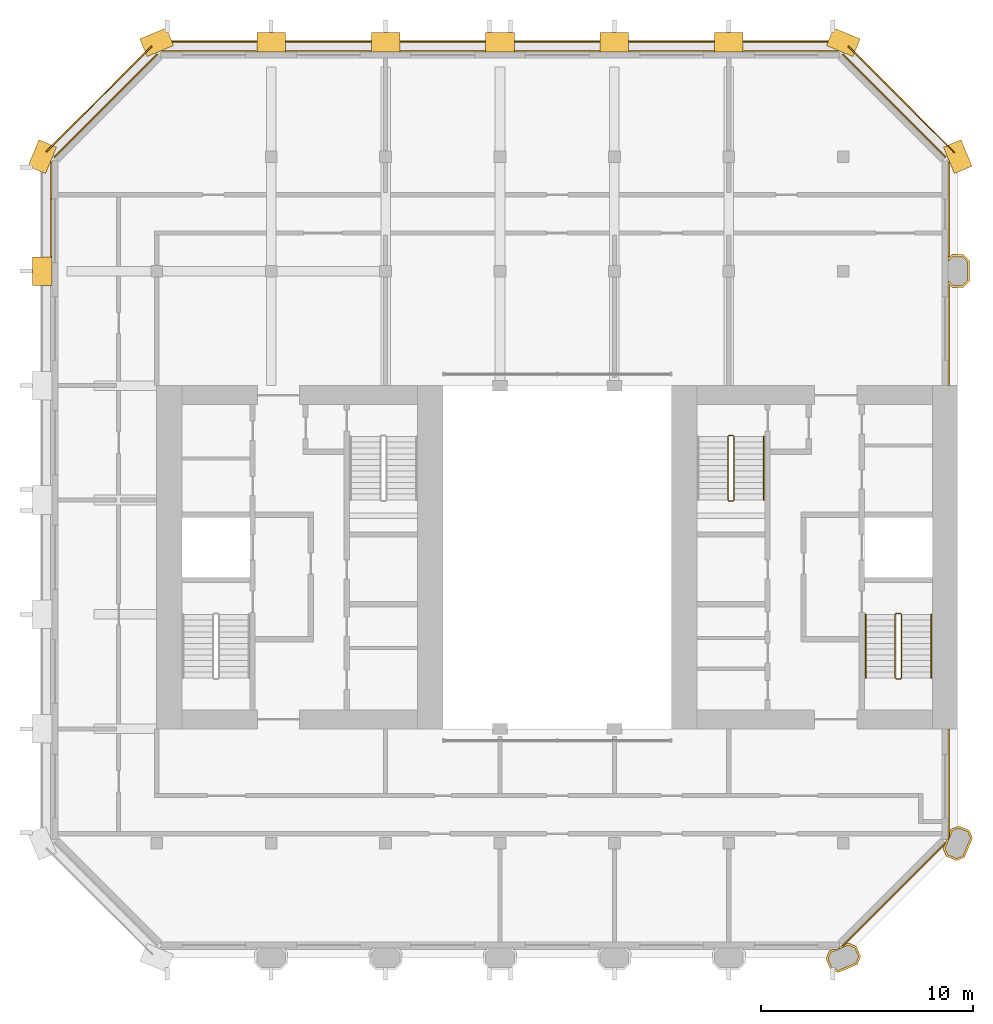
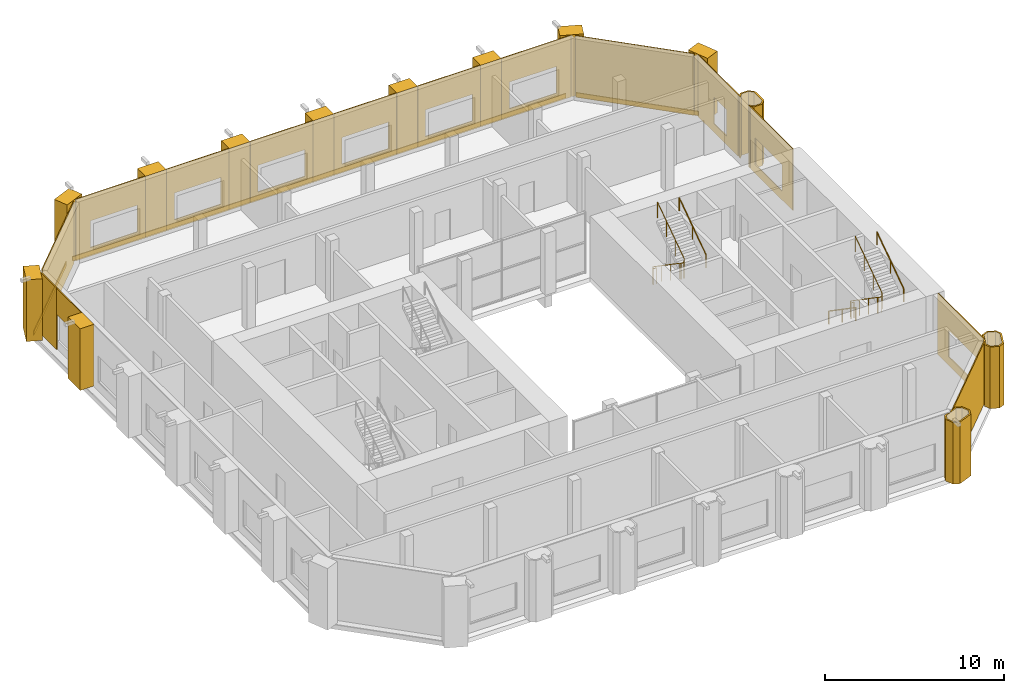
# One storey, part 12 of 12: 30 coverings, 5 railings.
"""IFC4 building model written with IfcOpenShell, lengths in metres."""

from ifc_helpers import new_model, si_unit, direction, frame, frame_2d, origin, origin_2d, place, context, subcontext, project, spatial, polyline, rectangle, circle, outline, extrude, material, layer, layer_set, type_object, element, save


model = new_model("IFC4")

# Units and contexts
model_context = context("Model", 3, precision=1e-05, world=origin(), true_north=direction((0.0, 1.0)))
body_context = subcontext(model_context, "Body", "Model", "MODEL_VIEW")
ifc_project = project(units=[si_unit("LENGTHUNIT", "METRE"), si_unit("AREAUNIT", "SQUARE_METRE"), si_unit("VOLUMEUNIT", "CUBIC_METRE"), si_unit("PLANEANGLEUNIT", "RADIAN"), si_unit("MASSUNIT", "GRAM", prefix="KILO")], contexts=[model_context])

# Site, building, storey
site_placement = place(None, origin())
site = spatial("IfcSite", under=ifc_project, at=site_placement, CompositionType="ELEMENT")
building_placement = place(site_placement, origin())
building = spatial("IfcBuilding", under=site, at=building_placement, Name="Tabaq Tower and Sports Hall", CompositionType="ELEMENT")
storey_placement = place(building_placement, frame((0.0, 0.0, 317.199951171875)))
storey = spatial("IfcBuildingStorey", under=building, at=storey_placement, Name="L79", CompositionType="ELEMENT", Elevation=317.199951171875)

# Coverings
ifc_material_1 = material(Name="Precast concrete C60/75", Category="concrete")
ifc_layer_1 = layer(ifc_material_1, 0.10009765625)
ifc_layer_set_1 = layer_set([ifc_layer_1], Name="Column cladding 100")
covering_type_1 = type_object("IfcCoveringType", Name="Column cladding 100", PredefinedType="CLADDING", material=ifc_layer_set_1)
covering_1_placement = place(storey_placement, origin())
element("IfcCovering", 1, at=covering_1_placement, inside=storey, type_object=covering_type_1, Name="Column cladding L79 PC-8B-CR", PredefinedType="CLADDING", context=body_context, shape_type="SweptSolid", body=[
    extrude(outline(polyline([(36.982421875, 5.349609375), (37.1357421875, 5.7197265625), (37.304443359375, 5.789794921875), (37.55712890625, 5.789794921875), (37.55712890625, 5.849609375), (37.614013671875, 5.849609375), (37.614013671875, 5.91796875), (37.767578125, 5.9814453125), (37.799072265625, 5.9501953125), (37.875, 6.026123046875), (38.04345703125, 6.095947265625), (38.413818359375, 5.9423828125), (38.61767578125, 5.450439453125), (38.46435546875, 5.080078125), (37.556396484375, 4.7041015625), (37.186279296875, 4.857421875), (36.982421875, 5.349609375)]), holes=[polyline([(38.510009765625, 5.450439453125), (38.337646484375, 5.866455078125), (38.04345703125, 5.98828125), (37.2119140625, 5.643798828125), (37.08984375, 5.349609375), (37.26220703125, 4.93359375), (37.556396484375, 4.811767578125), (38.38818359375, 5.15625), (38.510009765625, 5.450439453125)])]), origin(), (0.0, 0.0, 1.0), 4.199951171875),
])
covering_2_placement = place(storey_placement, origin())
element("IfcCovering", 2, at=covering_2_placement, inside=storey, type_object=covering_type_1, Name="Column cladding L79 PC-9C-CR", PredefinedType="CLADDING", context=body_context, shape_type="SweptSolid", body=[
    extrude(outline(polyline([(42.657470703125, 10.186279296875), (42.504150390625, 10.556396484375), (42.573974609375, 10.72509765625), (42.64990234375, 10.801025390625), (42.618408203125, 10.83251953125), (42.68212890625, 10.986083984375), (42.750244140625, 10.986083984375), (42.750244140625, 11.04296875), (42.810302734375, 11.04296875), (42.810302734375, 11.295654296875), (42.880126953125, 11.46435546875), (43.25048828125, 11.61767578125), (43.742431640625, 11.413818359375), (43.895751953125, 11.04345703125), (43.519775390625, 10.1357421875), (43.149658203125, 9.982421875), (42.657470703125, 10.186279296875)]), holes=[polyline([(43.66650390625, 11.337646484375), (43.25048828125, 11.510009765625), (42.956298828125, 11.38818359375), (42.61181640625, 10.556396484375), (42.733642578125, 10.26220703125), (43.149658203125, 10.08984375), (43.44384765625, 10.2119140625), (43.788330078125, 11.04345703125), (43.66650390625, 11.337646484375)])]), origin(), (0.0, 0.0, 1.0), 4.199951171875),
])
covering_3_placement = place(storey_placement, origin())
element("IfcCovering", 3, at=covering_3_placement, inside=storey, type_object=covering_type_1, Name="Column cladding L79 PC-9H-CR", PredefinedType="CLADDING", context=body_context, shape_type="SweptSolid", body=[
    extrude(outline(polyline([(42.93359375, 37.025390625), (42.750244140625, 37.208740234375), (42.750244140625, 37.349365234375), (42.974853515625, 37.124755859375), (43.425048828125, 37.124755859375), (43.650390625, 37.349853515625), (43.650390625, 38.250244140625), (43.425048828125, 38.475341796875), (42.974853515625, 38.475341796875), (42.750244140625, 38.250732421875), (42.750244140625, 38.391357421875), (42.93359375, 38.57470703125), (43.46630859375, 38.57470703125), (43.749755859375, 38.291259765625), (43.749755859375, 37.30859375), (43.46630859375, 37.025390625), (42.93359375, 37.025390625)])), origin(), (0.0, 0.0, 1.0), 4.199951171875),
])
ifc_material_2 = material(Name="Precast concrete C60/75", Category="concrete")
ifc_layer_2 = layer(ifc_material_2, 0.06005859375)
ifc_layer_set_2 = layer_set([ifc_layer_2], Name="Edge beam cladding 60")
covering_type_2 = type_object("IfcCoveringType", Name="Edge beam cladding 60", PredefinedType="CLADDING", material=ifc_layer_set_2)
covering_4_placement = place(storey_placement, frame((43.04443359375, 43.39794921875, -0.300048828125), z_axis=(0.0, 0.0, 1.0), x_axis=(-0.707106781187, 0.707106781187, 0.0)))
element("IfcCovering", 4, at=covering_4_placement, inside=storey, type_object=covering_type_2, Name="Edge beam cladding L79 1", PredefinedType="CLADDING", context=body_context, shape_type="SweptSolid", body=[
    extrude(rectangle(XDim=7.08837890625, YDim=0.06005859375, at=frame_2d((3.544189453125, 0.0))), origin(), (0.0, 0.0, 1.0), 0.300048828125),
])
covering_5_placement = place(storey_placement, frame((37.50146484375, 48.6298828125, -0.300048828125), z_axis=(0.0, 0.0, 1.0), x_axis=(-1.0, 0.0, 0.0)))
element("IfcCovering", 5, at=covering_5_placement, inside=storey, type_object=covering_type_2, Name="Edge beam cladding L79 2", PredefinedType="CLADDING", context=body_context, shape_type="SweptSolid", body=[
    extrude(rectangle(XDim=31.802978515625, YDim=0.06005859375, at=frame_2d((15.9013671875, 0.0))), origin(), (0.0, 0.0, 1.0), 0.300048828125),
])
covering_6_placement = place(storey_placement, frame((5.167724609375, 48.41015625, -0.300048828125), z_axis=(0.0, 0.0, 1.0), x_axis=(-0.707106781187, -0.707106781187, 0.0)))
element("IfcCovering", 6, at=covering_6_placement, inside=storey, type_object=covering_type_2, Name="Edge beam cladding L79 3", PredefinedType="CLADDING", context=body_context, shape_type="SweptSolid", body=[
    extrude(rectangle(XDim=7.03955078125, YDim=0.06005859375, at=frame_2d((3.519775390625, 0.0))), origin(), (0.0, 0.0, 1.0), 0.300048828125),
])
ifc_material_3 = material(Name="White precast concrete C60/75", Category="concrete")
covering_type_3 = type_object("IfcCoveringType", Name="Pier cladding hung 1350x900", PredefinedType="CLADDING", material=ifc_material_3)
for number, where, z_axis, x_axis, name in (
    (7, (0.0, 38.47509765625, 0.0), (0.0, 0.0, 1.0), (0.0, -1.0, 0.0), "Hung pier cladding 0/7"),
    (8, (0.25830078125, 43.82373046875, 0.0), (0.0, 0.0, 1.0), (-0.382649923473, -0.923893411637, 0.0), "Hung pier cladding 0/8"),
    (9, (6.023681640625, 48.8583984375, 0.0), (0.0, 0.0, 1.0), (-0.923893411637, -0.382649923473, 0.0), "Hung pier cladding 1/9"),
    (10, (11.47509765625, 48.60009765625, 0.0), (0.0, 0.0, 1.0), (-1.0, 0.0, 0.0), "Hung pier cladding 2/9"),
    (11, (16.875, 48.60009765625, 0.0), (0.0, 0.0, 1.0), (-1.0, 0.0, 0.0), "Hung pier cladding 3/9"),
):
    element("IfcCovering", number, at=place(storey_placement, frame(where, z_axis=z_axis, x_axis=x_axis)), inside=storey, type_object=covering_type_3, Name=name, PredefinedType="CLADDING", context=body_context, shape_type="SweptSolid", body=[
        extrude(rectangle(XDim=1.35009765625, YDim=0.89990234375, at=frame_2d((0.675048828125, 0.0))), origin(), (0.0, 0.0, 1.0), 4.199951171875),
    ])
covering_7_placement = place(storey_placement, frame((22.27490234375, 48.60009765625, 0.0), z_axis=(0.0, 0.0, 1.0), x_axis=(-1.0, 0.0, 0.0)))
element("IfcCovering", 12, at=covering_7_placement, inside=storey, type_object=covering_type_3, Name="Hung pier cladding 4/9", PredefinedType="CLADDING", context=body_context, shape_type="SweptSolid", body=[
    extrude(rectangle(XDim=1.349853515625, YDim=0.89990234375, at=frame_2d((0.6748046875, 0.0))), origin(), (0.0, 0.0, 1.0), 4.199951171875),
])
covering_8_placement = place(storey_placement, frame((27.675048828125, 48.60009765625, 0.0), z_axis=(0.0, 0.0, 1.0), x_axis=(-1.0, 0.0, 0.0)))
element("IfcCovering", 13, at=covering_8_placement, inside=storey, type_object=covering_type_3, Name="Hung pier cladding 5/9", PredefinedType="CLADDING", context=body_context, shape_type="SweptSolid", body=[
    extrude(rectangle(XDim=1.35009765625, YDim=0.89990234375, at=frame_2d((0.675048828125, 0.0))), origin(), (0.0, 0.0, 1.0), 4.199951171875),
])
covering_9_placement = place(storey_placement, frame((33.074951171875, 48.60009765625, 0.0), z_axis=(0.0, 0.0, 1.0), x_axis=(-1.0, 0.0, 0.0)))
element("IfcCovering", 14, at=covering_9_placement, inside=storey, type_object=covering_type_3, Name="Hung pier cladding 6/9", PredefinedType="CLADDING", context=body_context, shape_type="SweptSolid", body=[
    extrude(rectangle(XDim=1.349853515625, YDim=0.89990234375, at=frame_2d((0.6748046875, 0.0))), origin(), (0.0, 0.0, 1.0), 4.199951171875),
])
for number, where, z_axis, x_axis, name in (
    (15, (38.423583984375, 48.341796875, 0.0), (0.0, 0.0, 1.0), (-0.923893411637, 0.382649923473, 0.0), "Hung pier cladding 7/9"),
    (16, (43.458251953125, 42.576416015625, 0.0), (0.0, 0.0, 1.0), (-0.382649923473, 0.923893411637, 0.0), "Hung pier cladding 8/8"),
):
    element("IfcCovering", number, at=place(storey_placement, frame(where, z_axis=z_axis, x_axis=x_axis)), inside=storey, type_object=covering_type_3, Name=name, PredefinedType="CLADDING", context=body_context, shape_type="SweptSolid", body=[
        extrude(rectangle(XDim=1.35009765625, YDim=0.89990234375, at=frame_2d((0.675048828125, 0.0))), origin(), (0.0, 0.0, 1.0), 4.199951171875),
    ])

# Railings
ifc_material_4 = material(Name="Stainless steel", Category="steel")
railing_type_1 = type_object("IfcRailingType", Name="Stair guard", PredefinedType="GUARDRAIL", material=ifc_material_4)
railing_1_placement = place(storey_placement, frame((40.5, 21.64990234375, 0.0)))
element("IfcRailing", 17, at=railing_1_placement, inside=storey, type_object=railing_type_1, Name="L79 ST3 stair guard 1", PredefinedType="GUARDRAIL", context=body_context, shape_type="SweptSolid", body=[
    extrude(circle(Radius=0.02392578125, at=origin_2d()), frame((0.0, 0.0, 1.076171875), z_axis=(-1.0, 0.0, 0.0), x_axis=(0.0, -1.0, 0.0)), (0.0, 0.0, 1.0), 0.199951171875),
    extrude(circle(Radius=0.02392578125, at=origin_2d()), frame((-0.199951171875, 0.0, 1.076171875), z_axis=(-0.249802250048, -0.248583702486, 0.935844527007), x_axis=(0.705375805398, -0.708833529934, 0.0)), (0.0, 0.0, 1.0), 0.200439453125),
    extrude(circle(Radius=0.02392578125, at=origin_2d()), frame((-0.25, -0.0498046875, 1.263671875), z_axis=(0.0, -0.824041924199, 0.566528822887), x_axis=(1.0, 0.0, 0.0)), (0.0, 0.0, 1.0), 3.640625),
    extrude(circle(Radius=0.02392578125, at=origin_2d()), frame((-0.25, -3.0498046875, 3.326171875), z_axis=(0.707106781187, -0.707106781187, 0.0), x_axis=(0.707106781187, 0.707106781187, 0.0)), (0.0, 0.0, 1.0), 0.07080078125),
    extrude(circle(Radius=0.02392578125, at=origin_2d()), frame((-0.199951171875, -3.099853515625, 3.326171875), z_axis=(1.0, 0.0, 0.0), x_axis=(0.0, 1.0, 0.0)), (0.0, 0.0, 1.0), 0.199951171875),
    extrude(circle(Radius=0.02392578125, at=origin_2d()), frame((0.0, -3.099853515625, 3.326171875), z_axis=(0.249726431254, 0.249726431254, 0.935560483917), x_axis=(-0.707106781187, 0.707106781187, 0.0)), (0.0, 0.0, 1.0), 0.200439453125),
    extrude(circle(Radius=0.02392578125, at=origin_2d()), frame((0.050048828125, -3.0498046875, 3.513671875), z_axis=(0.0, 0.824041924199, 0.566528822887), x_axis=(-1.0, 0.0, 0.0)), (0.0, 0.0, 1.0), 3.640625),
    extrude(circle(Radius=0.02099609375, at=origin_2d()), origin(), (0.0, 0.0, 1.0), 1.052001953125),
    extrude(circle(Radius=0.02099609375, at=origin_2d()), frame((-0.199951171875, 0.0, 0.0)), (0.0, 0.0, 1.0), 1.052001953125),
    extrude(circle(Radius=0.02099609375, at=origin_2d()), frame((-0.25, -0.0498046875, 0.1875)), (0.0, 0.0, 1.0), 1.052001953125),
    extrude(circle(Radius=0.02099609375, at=origin_2d()), frame((-0.25, -1.0498046875, 0.875)), (0.0, 0.0, 1.0), 1.052001953125),
    extrude(circle(Radius=0.02099609375, at=origin_2d()), frame((-0.25, -2.0498046875, 1.5625)), (0.0, 0.0, 1.0), 1.052001953125),
    extrude(circle(Radius=0.02099609375, at=origin_2d()), frame((-0.25, -3.0498046875, 2.25)), (0.0, 0.0, 1.0), 1.052001953125),
    extrude(circle(Radius=0.02099609375, at=origin_2d()), frame((-0.199951171875, -3.099853515625, 2.25)), (0.0, 0.0, 1.0), 1.052001953125),
    extrude(circle(Radius=0.02099609375, at=origin_2d()), frame((0.0, -3.099853515625, 2.25)), (0.0, 0.0, 1.0), 1.052001953125),
    extrude(circle(Radius=0.02099609375, at=origin_2d()), frame((0.050048828125, -3.0498046875, 2.4375)), (0.0, 0.0, 1.0), 1.052001953125),
    extrude(circle(Radius=0.02099609375, at=origin_2d()), frame((0.050048828125, -2.0498046875, 3.125)), (0.0, 0.0, 1.0), 1.052001953125),
    extrude(circle(Radius=0.02099609375, at=origin_2d()), frame((0.050048828125, -1.0498046875, 3.8125)), (0.0, 0.0, 1.0), 1.052001953125),
    extrude(circle(Radius=0.02099609375, at=origin_2d()), frame((0.050048828125, -0.0498046875, 4.5)), (0.0, 0.0, 1.0), 1.052001953125),
])
railing_2_placement = place(storey_placement, frame((32.60009765625, 30.050048828125, 0.0)))
element("IfcRailing", 18, at=railing_2_placement, inside=storey, type_object=railing_type_1, Name="L79 ST4 stair guard 1", PredefinedType="GUARDRAIL", context=body_context, shape_type="SweptSolid", body=[
    extrude(circle(Radius=0.02392578125, at=origin_2d()), frame((0.0, 0.0, 1.076171875), z_axis=(-1.0, 0.0, 0.0), x_axis=(0.0, -1.0, 0.0)), (0.0, 0.0, 1.0), 0.2001953125),
    extrude(circle(Radius=0.02392578125, at=origin_2d()), frame((-0.2001953125, 0.0, 1.076171875), z_axis=(-0.248583702486, -0.249802250048, 0.935844527007), x_axis=(0.708833529934, -0.705375805398, 0.0)), (0.0, 0.0, 1.0), 0.200439453125),
    extrude(circle(Radius=0.02392578125, at=origin_2d()), frame((-0.25, -0.050048828125, 1.263671875), z_axis=(0.0, -0.824041924199, 0.566528822887), x_axis=(1.0, 0.0, 0.0)), (0.0, 0.0, 1.0), 3.640625),
    extrude(circle(Radius=0.02392578125, at=origin_2d()), frame((-0.25, -3.050048828125, 3.326171875), z_axis=(0.705375805398, -0.708833529934, 0.0), x_axis=(0.708833529934, 0.705375805398, 0.0)), (0.0, 0.0, 1.0), 0.070556640625),
    extrude(circle(Radius=0.02392578125, at=origin_2d()), frame((-0.2001953125, -3.10009765625, 3.326171875), z_axis=(1.0, 0.0, 0.0), x_axis=(0.0, 1.0, 0.0)), (0.0, 0.0, 1.0), 0.2001953125),
    extrude(circle(Radius=0.02392578125, at=origin_2d()), frame((0.0, -3.10009765625, 3.326171875), z_axis=(0.248583702486, 0.249802250048, 0.935844527007), x_axis=(-0.708833529934, 0.705375805398, 0.0)), (0.0, 0.0, 1.0), 0.200439453125),
    extrude(circle(Radius=0.02392578125, at=origin_2d()), frame((0.0498046875, -3.050048828125, 3.513671875), z_axis=(0.0, 0.824041924199, 0.566528822887), x_axis=(-1.0, 0.0, 0.0)), (0.0, 0.0, 1.0), 3.640625),
    extrude(circle(Radius=0.02099609375, at=origin_2d()), origin(), (0.0, 0.0, 1.0), 1.052001953125),
    extrude(circle(Radius=0.02099609375, at=origin_2d()), frame((-0.2001953125, 0.0, 0.0)), (0.0, 0.0, 1.0), 1.052001953125),
    extrude(circle(Radius=0.02099609375, at=origin_2d()), frame((-0.25, -0.050048828125, 0.1875)), (0.0, 0.0, 1.0), 1.052001953125),
    extrude(circle(Radius=0.02099609375, at=origin_2d()), frame((-0.25, -1.050048828125, 0.875)), (0.0, 0.0, 1.0), 1.052001953125),
    extrude(circle(Radius=0.02099609375, at=origin_2d()), frame((-0.25, -2.050048828125, 1.5625)), (0.0, 0.0, 1.0), 1.052001953125),
    extrude(circle(Radius=0.02099609375, at=origin_2d()), frame((-0.25, -3.050048828125, 2.25)), (0.0, 0.0, 1.0), 1.052001953125),
    extrude(circle(Radius=0.02099609375, at=origin_2d()), frame((-0.2001953125, -3.10009765625, 2.25)), (0.0, 0.0, 1.0), 1.052001953125),
    extrude(circle(Radius=0.02099609375, at=origin_2d()), frame((0.0, -3.10009765625, 2.25)), (0.0, 0.0, 1.0), 1.052001953125),
    extrude(circle(Radius=0.02099609375, at=origin_2d()), frame((0.0498046875, -3.050048828125, 2.4375)), (0.0, 0.0, 1.0), 1.052001953125),
    extrude(circle(Radius=0.02099609375, at=origin_2d()), frame((0.0498046875, -2.050048828125, 3.125)), (0.0, 0.0, 1.0), 1.052001953125),
    extrude(circle(Radius=0.02099609375, at=origin_2d()), frame((0.0498046875, -1.050048828125, 3.8125)), (0.0, 0.0, 1.0), 1.052001953125),
    extrude(circle(Radius=0.02099609375, at=origin_2d()), frame((0.0498046875, -0.050048828125, 4.5)), (0.0, 0.0, 1.0), 1.052001953125),
])
ifc_material_5 = material(Name="Stainless steel", Category="steel")
railing_type_2 = type_object("IfcRailingType", Name="Stair handrail", PredefinedType="HANDRAIL", material=ifc_material_5)
railing_3_placement = place(storey_placement, frame((38.85009765625, 21.60009765625, 0.1875)))
element("IfcRailing", 19, at=railing_3_placement, inside=storey, type_object=railing_type_2, Name="L79 ST3 stair handrail 1", PredefinedType="HANDRAIL", context=body_context, shape_type="SweptSolid", body=[
    extrude(circle(Radius=0.02392578125, at=origin_2d()), frame((0.0, 0.0, 0.8759765625), z_axis=(0.0, -0.824041924199, 0.566528822887), x_axis=(1.0, 0.0, 0.0)), (0.0, 0.0, 1.0), 3.640625),
    extrude(circle(Radius=0.02099609375, at=origin_2d()), origin(), (0.0, 0.0, 1.0), 0.851806640625),
    extrude(circle(Radius=0.02099609375, at=origin_2d()), frame((0.0, -1.5, 1.03125)), (0.0, 0.0, 1.0), 0.851806640625),
    extrude(circle(Radius=0.02099609375, at=origin_2d()), frame((0.0, -3.0, 2.0625)), (0.0, 0.0, 1.0), 0.851806640625),
])
for number, where, name in (
    (20, (41.949951171875, 18.60009765625, 2.4375), "L79 ST3 stair handrail 2"),
    (21, (34.050048828125, 27.0, 2.4375), "L79 ST4 stair handrail 2"),
):
    element("IfcRailing", number, at=place(storey_placement, frame(where)), inside=storey, type_object=railing_type_2, Name=name, PredefinedType="HANDRAIL", context=body_context, shape_type="SweptSolid", body=[
        extrude(circle(Radius=0.02392578125, at=origin_2d()), frame((0.0, 0.0, 0.8759765625), z_axis=(0.0, 0.824041924199, 0.566528822887), x_axis=(-1.0, 0.0, 0.0)), (0.0, 0.0, 1.0), 3.640625),
        extrude(circle(Radius=0.02099609375, at=origin_2d()), origin(), (0.0, 0.0, 1.0), 0.851806640625),
        extrude(circle(Radius=0.02099609375, at=origin_2d()), frame((0.0, 1.5, 1.03125)), (0.0, 0.0, 1.0), 0.851806640625),
        extrude(circle(Radius=0.02099609375, at=origin_2d()), frame((0.0, 3.0, 2.0625)), (0.0, 0.0, 1.0), 0.851806640625),
    ])

# Coverings
ifc_material_6 = material(Name="Precast concrete C60/75", Category="concrete")
ifc_layer_3 = layer(ifc_material_6, 0.06005859375)
ifc_layer_set_3 = layer_set([ifc_layer_3], Name="White precast cladding panel 60 C60/75")
covering_type_4 = type_object("IfcCoveringType", Name="White precast cladding panel 60 C60/75", PredefinedType="CLADDING", material=ifc_layer_set_3)
covering_10_placement = place(storey_placement, frame((37.77783203125, 5.9716796875, 0.0), z_axis=(0.0, 0.0, 1.0), x_axis=(0.707088985397, 0.707124576528, 0.0)))
element("IfcCovering", 22, at=covering_10_placement, inside=storey, type_object=covering_type_4, Name="White precast cladding panel L79 wall01", PredefinedType="CLADDING", context=body_context, shape_type="SweptSolid", body=[
    extrude(outline(polyline([(0.0, 0.0), (6.859619140625, 0.0), (6.859619140625, 4.199951171875), (6.2880859375, 4.199951171875), (5.71630859375, 4.199951171875), (5.144775390625, 4.199951171875), (4.5732421875, 4.199951171875), (4.00146484375, 4.199951171875), (3.429931640625, 4.199951171875), (2.858154296875, 4.199951171875), (2.28662109375, 4.199951171875), (1.71484375, 4.199951171875), (1.143310546875, 4.199951171875), (0.571533203125, 4.199951171875), (0.0, 4.199951171875), (0.0, 0.0)])), frame((0.0, 0.030029296875, 0.0), z_axis=(0.0, -1.0, 0.0), x_axis=(1.0, 0.0, 0.0)), (0.0, 0.0, 1.0), 0.06005859375),
])
covering_11_placement = place(storey_placement, frame((42.780029296875, 11.043212890625, 0.0), z_axis=(0.0, 0.0, 1.0), x_axis=(0.0, 1.0, 0.0)))
element("IfcCovering", 23, at=covering_11_placement, inside=storey, type_object=covering_type_4, Name="White precast cladding panel L79 wall02", PredefinedType="CLADDING", context=body_context, shape_type="SweptSolid", body=[
    extrude(outline(polyline([(0.0, 0.0), (5.15673828125, 0.0), (5.15673828125, 4.199951171875), (4.57763671875, 4.199951171875), (3.998291015625, 4.199951171875), (3.4189453125, 4.199951171875), (2.839599609375, 4.199951171875), (2.260498046875, 4.199951171875), (1.68115234375, 4.199951171875), (1.101806640625, 4.199951171875), (0.5224609375, 4.199951171875), (0.0, 4.199951171875), (0.0, 0.0)]), holes=[polyline([(0.94677734375, 0.590087890625), (0.94677734375, 2.41015625), (3.966796875, 2.41015625), (3.966796875, 0.590087890625), (0.94677734375, 0.590087890625)])]), frame((0.0, 0.030029296875, 0.0), z_axis=(0.0, -1.0, 0.0), x_axis=(1.0, 0.0, 0.0)), (0.0, 0.0, 1.0), 0.06005859375),
])
covering_12_placement = place(storey_placement, frame((42.780029296875, 32.39990234375, 0.0), z_axis=(0.0, 0.0, 1.0), x_axis=(0.0, 1.0, 0.0)))
element("IfcCovering", 24, at=covering_12_placement, inside=storey, type_object=covering_type_4, Name="White precast cladding panel L79 wall02-1", PredefinedType="CLADDING", context=body_context, shape_type="SweptSolid", body=[
    extrude(outline(polyline([(0.0, 0.0), (4.715087890625, 0.0), (4.715087890625, 4.199951171875), (4.12744140625, 4.199951171875), (3.537841796875, 4.199951171875), (2.9482421875, 4.199951171875), (2.358642578125, 4.199951171875), (1.76904296875, 4.199951171875), (1.17919921875, 4.199951171875), (0.589599609375, 4.199951171875), (0.0, 4.199951171875), (0.0, 0.0)]), holes=[polyline([(1.18994140625, 0.590087890625), (1.18994140625, 2.41015625), (4.2099609375, 2.41015625), (4.2099609375, 0.590087890625), (1.18994140625, 0.590087890625)])]), frame((0.0, 0.030029296875, 0.0), z_axis=(0.0, -1.0, 0.0), x_axis=(1.0, 0.0, 0.0)), (0.0, 0.0, 1.0), 0.06005859375),
])
covering_13_placement = place(storey_placement, frame((42.780029296875, 38.485107421875, 0.0), z_axis=(0.0, 0.0, 1.0), x_axis=(0.0, 1.0, 0.0)))
element("IfcCovering", 25, at=covering_13_placement, inside=storey, type_object=covering_type_4, Name="White precast cladding panel L79 wall02-1 2", PredefinedType="CLADDING", context=body_context, shape_type="SweptSolid", body=[
    extrude(outline(polyline([(0.0, 0.0), (4.4716796875, 0.0), (4.471923828125, 4.199951171875), (3.93896484375, 4.199951171875), (3.349365234375, 4.199951171875), (2.759765625, 4.199951171875), (2.169921875, 4.199951171875), (1.580322265625, 4.199951171875), (0.99072265625, 4.199951171875), (0.401123046875, 4.199951171875), (0.0, 4.199951171875), (0.0, 0.0)]), holes=[polyline([(1.301513671875, 0.590087890625), (1.301513671875, 2.41015625), (2.721435546875, 2.41015625), (2.721435546875, 0.590087890625), (1.301513671875, 0.590087890625)])]), frame((0.0, 0.030029296875, 0.0), z_axis=(0.0, -1.0, 0.0), x_axis=(1.0, 0.0, 0.0)), (0.0, 0.0, 1.0), 0.06005859375),
])
covering_14_placement = place(storey_placement, frame((42.628173828125, 43.177734375, 0.0), z_axis=(0.0, 0.0, 1.0), x_axis=(-0.707088985397, 0.707124576528, 0.0)))
element("IfcCovering", 26, at=covering_14_placement, inside=storey, type_object=covering_type_4, Name="White precast cladding panel L79 wall03", PredefinedType="CLADDING", context=body_context, shape_type="SweptSolid", body=[
    extrude(outline(polyline([(0.0, 0.0), (6.859619140625, 0.0), (6.859619140625, 4.199951171875), (6.2880859375, 4.199951171875), (5.71630859375, 4.199951171875), (5.144775390625, 4.199951171875), (4.5732421875, 4.199951171875), (4.00146484375, 4.199951171875), (3.429931640625, 4.199951171875), (2.858154296875, 4.199951171875), (2.28662109375, 4.199951171875), (1.71484375, 4.199951171875), (1.143310546875, 4.199951171875), (0.571533203125, 4.199951171875), (0.0, 4.199951171875), (0.0, 0.0)])), frame((0.0, 0.030029296875, 0.0), z_axis=(0.0, -1.0, 0.0), x_axis=(1.0, 0.0, 0.0)), (0.0, 0.0, 1.0), 0.06005859375),
])
covering_15_placement = place(storey_placement, frame((37.556884765625, 48.179931640625, 0.0), z_axis=(0.0, 0.0, 1.0), x_axis=(-1.0, 0.0, 0.0)))
element("IfcCovering", 27, at=covering_15_placement, inside=storey, type_object=covering_type_4, Name="White precast cladding panel L79 wall04", PredefinedType="CLADDING", context=body_context, shape_type="SweptSolid", body=[
    extrude(outline(polyline([(0.0, 0.0), (4.471923828125, 0.0), (4.471923828125, 4.199951171875), (4.094970703125, 4.199951171875), (3.501708984375, 4.199951171875), (2.90869140625, 4.199951171875), (2.315673828125, 4.199951171875), (1.722412109375, 4.199951171875), (1.12939453125, 4.199951171875), (0.536376953125, 4.199951171875), (0.0, 4.199951171875), (0.0, 0.0)]), holes=[polyline([(0.94677734375, 0.590087890625), (0.94677734375, 2.41015625), (3.966796875, 2.41015625), (3.966796875, 0.590087890625), (0.94677734375, 0.590087890625)])]), frame((0.0, 0.030029296875, 0.0), z_axis=(0.0, -1.0, 0.0), x_axis=(1.0, 0.0, 0.0)), (0.0, 0.0, 1.0), 0.06005859375),
])
covering_16_placement = place(storey_placement, frame((31.715087890625, 48.179931640625, 0.0), z_axis=(0.0, 0.0, 1.0), x_axis=(-1.0, 0.0, 0.0)))
element("IfcCovering", 28, at=covering_16_placement, inside=storey, type_object=covering_type_4, Name="White precast cladding panel L79 wall04 2", PredefinedType="CLADDING", context=body_context, shape_type="SweptSolid", body=[
    extrude(outline(polyline([(0.0, 0.0), (4.030029296875, 0.0), (4.030029296875, 4.199951171875), (3.5908203125, 4.199951171875), (2.997802734375, 4.199951171875), (2.40478515625, 4.199951171875), (1.811767578125, 4.199951171875), (1.218505859375, 4.199951171875), (0.62548828125, 4.199951171875), (0.032470703125, 4.199951171875), (0.0, 4.199951171875), (0.0, 0.0)]), holes=[polyline([(0.5048828125, 0.590087890625), (0.5048828125, 2.41015625), (3.52490234375, 2.41015625), (3.52490234375, 0.590087890625), (0.5048828125, 0.590087890625)])]), frame((0.0, 0.030029296875, 0.0), z_axis=(0.0, -1.0, 0.0), x_axis=(1.0, 0.0, 0.0)), (0.0, 0.0, 1.0), 0.06005859375),
])
covering_17_placement = place(storey_placement, frame((26.31494140625, 48.179931640625, 0.0), z_axis=(0.0, 0.0, 1.0), x_axis=(-1.0, 0.0, 0.0)))
element("IfcCovering", 29, at=covering_17_placement, inside=storey, type_object=covering_type_4, Name="White precast cladding panel L79 wall04 3", PredefinedType="CLADDING", context=body_context, shape_type="SweptSolid", body=[
    extrude(outline(polyline([(0.0, 0.0), (4.030029296875, 0.0), (4.030029296875, 4.199951171875), (3.52880859375, 4.199951171875), (2.935791015625, 4.199951171875), (2.342529296875, 4.199951171875), (1.74951171875, 4.199951171875), (1.156494140625, 4.199951171875), (0.563232421875, 4.199951171875), (0.0, 4.199951171875), (0.0, 0.0)]), holes=[polyline([(0.5048828125, 0.590087890625), (0.5048828125, 2.41015625), (3.52490234375, 2.41015625), (3.52490234375, 0.590087890625), (0.5048828125, 0.590087890625)])]), frame((0.0, 0.030029296875, 0.0), z_axis=(0.0, -1.0, 0.0), x_axis=(1.0, 0.0, 0.0)), (0.0, 0.0, 1.0), 0.06005859375),
])
covering_18_placement = place(storey_placement, frame((20.9150390625, 48.179931640625, 0.0), z_axis=(0.0, 0.0, 1.0), x_axis=(-1.0, 0.0, 0.0)))
element("IfcCovering", 30, at=covering_18_placement, inside=storey, type_object=covering_type_4, Name="White precast cladding panel L79 wall04 4", PredefinedType="CLADDING", context=body_context, shape_type="SweptSolid", body=[
    extrude(outline(polyline([(0.0, 0.0), (4.030029296875, 0.0), (4.030029296875, 4.199951171875), (3.466796875, 4.199951171875), (2.87353515625, 4.199951171875), (2.280517578125, 4.199951171875), (1.6875, 4.199951171875), (1.09423828125, 4.199951171875), (0.501220703125, 4.199951171875), (0.0, 4.199951171875), (0.0, 0.0)]), holes=[polyline([(0.5048828125, 0.590087890625), (0.5048828125, 2.41015625), (3.52490234375, 2.41015625), (3.52490234375, 0.590087890625), (0.5048828125, 0.590087890625)])]), frame((0.0, 0.030029296875, 0.0), z_axis=(0.0, -1.0, 0.0), x_axis=(1.0, 0.0, 0.0)), (0.0, 0.0, 1.0), 0.06005859375),
])
covering_19_placement = place(storey_placement, frame((15.514892578125, 48.179931640625, 0.0), z_axis=(0.0, 0.0, 1.0), x_axis=(-1.0, 0.0, 0.0)))
element("IfcCovering", 31, at=covering_19_placement, inside=storey, type_object=covering_type_4, Name="White precast cladding panel L79 wall04 5", PredefinedType="CLADDING", context=body_context, shape_type="SweptSolid", body=[
    extrude(outline(polyline([(0.0, 0.0), (4.02978515625, 0.0), (4.030029296875, 4.199951171875), (3.99755859375, 4.199951171875), (3.404541015625, 4.199951171875), (2.8115234375, 4.199951171875), (2.21826171875, 4.199951171875), (1.625244140625, 4.199951171875), (1.0322265625, 4.199951171875), (0.43896484375, 4.199951171875), (0.0, 4.199951171875), (0.0, 0.0)]), holes=[polyline([(0.5048828125, 0.590087890625), (0.5048828125, 2.41015625), (3.52490234375, 2.41015625), (3.52490234375, 0.590087890625), (0.5048828125, 0.590087890625)])]), frame((0.0, 0.030029296875, 0.0), z_axis=(0.0, -1.0, 0.0), x_axis=(1.0, 0.0, 0.0)), (0.0, 0.0, 1.0), 0.06005859375),
])
covering_20_placement = place(storey_placement, frame((10.114990234375, 48.179931640625, 0.0), z_axis=(0.0, 0.0, 1.0), x_axis=(-1.0, 0.0, 0.0)))
element("IfcCovering", 32, at=covering_20_placement, inside=storey, type_object=covering_type_4, Name="White precast cladding panel L79 wall04 6", PredefinedType="CLADDING", context=body_context, shape_type="SweptSolid", body=[
    extrude(outline(polyline([(0.0, 0.0), (4.471923828125, 0.0), (4.471923828125, 4.199951171875), (3.935546875, 4.199951171875), (3.342529296875, 4.199951171875), (2.749267578125, 4.199951171875), (2.15625, 4.199951171875), (1.563232421875, 4.199951171875), (0.969970703125, 4.199951171875), (0.376953125, 4.199951171875), (0.0, 4.199951171875), (0.0, 0.0)]), holes=[polyline([(0.5048828125, 0.590087890625), (0.5048828125, 2.41015625), (3.52490234375, 2.41015625), (3.52490234375, 0.590087890625), (0.5048828125, 0.590087890625)])]), frame((0.0, 0.030029296875, 0.0), z_axis=(0.0, -1.0, 0.0), x_axis=(1.0, 0.0, 0.0)), (0.0, 0.0, 1.0), 0.06005859375),
])
covering_21_placement = place(storey_placement, frame((5.42236328125, 48.0283203125, 0.0), z_axis=(0.0, 0.0, 1.0), x_axis=(-0.707106781187, -0.707106781187, 0.0)))
element("IfcCovering", 33, at=covering_21_placement, inside=storey, type_object=covering_type_4, Name="White precast cladding panel L79 wall05", PredefinedType="CLADDING", context=body_context, shape_type="SweptSolid", body=[
    extrude(outline(polyline([(0.0, 0.0), (6.85986328125, 0.0), (6.859619140625, 4.199951171875), (6.2880859375, 4.199951171875), (5.71630859375, 4.199951171875), (5.144775390625, 4.199951171875), (4.5732421875, 4.199951171875), (4.00146484375, 4.199951171875), (3.429931640625, 4.199951171875), (2.858154296875, 4.199951171875), (2.28662109375, 4.199951171875), (1.71484375, 4.199951171875), (1.143310546875, 4.199951171875), (0.571533203125, 4.199951171875), (0.0, 4.199951171875), (0.0, 0.0)])), frame((0.0, 0.030029296875, 0.0), z_axis=(0.0, -1.0, 0.0), x_axis=(1.0, 0.0, 0.0)), (0.0, 0.0, 1.0), 0.06005859375),
])
covering_22_placement = place(storey_placement, frame((0.419921875, 42.956787109375, 0.0), z_axis=(0.0, 0.0, 1.0), x_axis=(0.0, -1.0, 0.0)))
element("IfcCovering", 34, at=covering_22_placement, inside=storey, type_object=covering_type_4, Name="White precast cladding panel L79 wall06", PredefinedType="CLADDING", context=body_context, shape_type="SweptSolid", body=[
    extrude(outline(polyline([(0.0, 0.0), (1.7431640625, 0.0), (1.7431640625, 4.199951171875), (1.722412109375, 4.199951171875), (1.12939453125, 4.199951171875), (0.536376953125, 4.199951171875), (0.0, 4.199951171875), (0.0, 0.0)])), frame((0.0, 0.030029296875, 0.0), z_axis=(0.0, -1.0, 0.0), x_axis=(1.0, 0.0, 0.0)), (0.0, 0.0, 1.0), 0.06005859375),
])
covering_23_placement = place(storey_placement, frame((0.419921875, 41.213623046875, 2.41015625), z_axis=(0.0, 0.0, 1.0), x_axis=(0.0, -1.0, 0.0)))
element("IfcCovering", 35, at=covering_23_placement, inside=storey, type_object=covering_type_4, Name="White precast cladding panel L79 wall06 2", PredefinedType="CLADDING", context=body_context, shape_type="SweptSolid", body=[
    extrude(outline(polyline([(0.0, 0.0), (2.728515625, 0.0), (2.728515625, 1.789794921875), (2.3515625, 1.789794921875), (1.758544921875, 1.789794921875), (1.16552734375, 1.789794921875), (0.572265625, 1.789794921875), (0.0, 1.789794921875), (0.0, 0.0)])), frame((0.0, 0.030029296875, 0.0), z_axis=(0.0, -1.0, 0.0), x_axis=(1.0, 0.0, 0.0)), (0.0, 0.0, 1.0), 0.06005859375),
])

save(model, "model.ifc")
